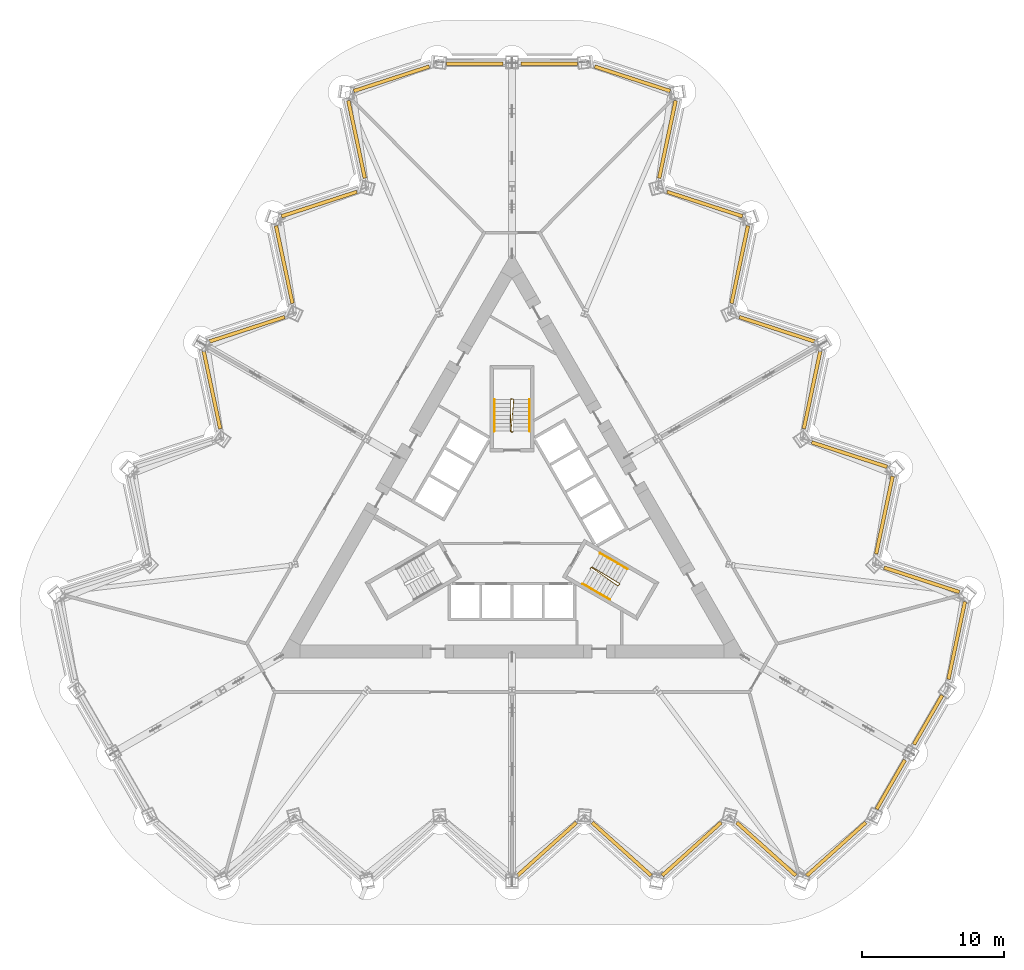
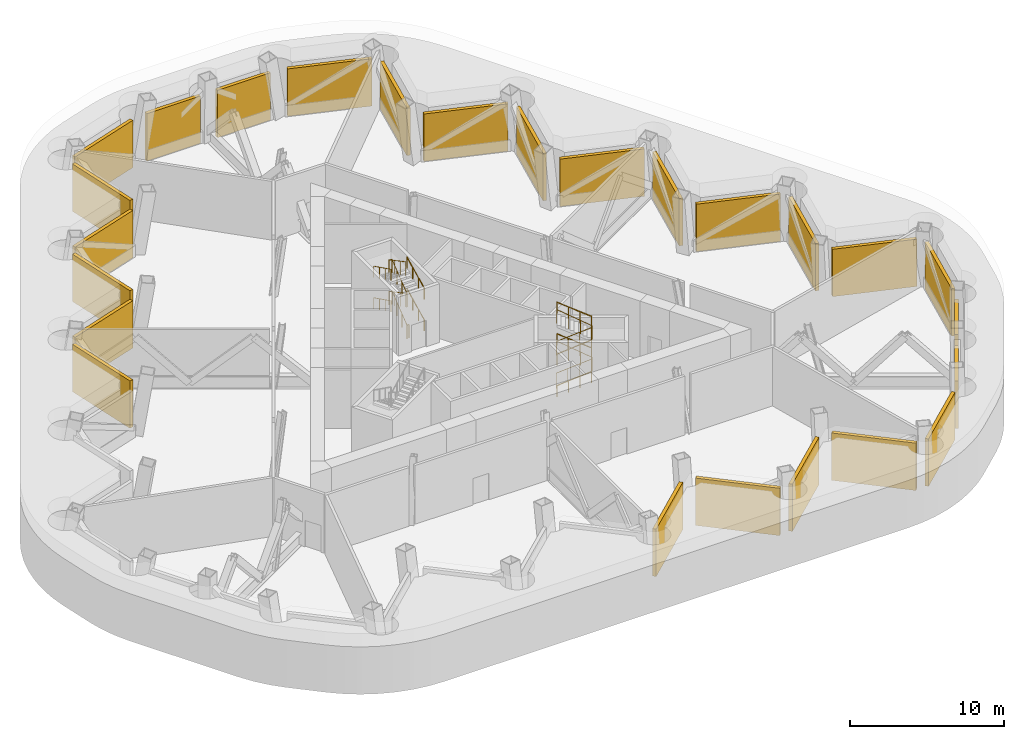
# One storey, part 13 of 13: 25 shading devices, 10 railings.
"""IFC4 building model written with IfcOpenShell, lengths in metres."""

from ifc_helpers import new_model, si_unit, direction, frame, origin, origin_2d, place, context, subcontext, project, spatial, rectangle, circle, extrude, material, layer, layer_set, type_object, element, save


model = new_model("IFC4")

# Units and contexts
model_context = context("Model", 3, precision=1e-05, world=origin(), true_north=direction((0.0, 1.0)))
body_context = subcontext(model_context, "Body", "Model", "MODEL_VIEW")
ifc_project = project(units=[si_unit("LENGTHUNIT", "METRE"), si_unit("AREAUNIT", "SQUARE_METRE"), si_unit("VOLUMEUNIT", "CUBIC_METRE"), si_unit("PLANEANGLEUNIT", "RADIAN"), si_unit("MASSUNIT", "GRAM", prefix="KILO")], contexts=[model_context])

# Site, building, storey
site_placement = place(None, origin())
site = spatial("IfcSite", under=ifc_project, at=site_placement, CompositionType="ELEMENT")
building_placement = place(site_placement, origin())
building = spatial("IfcBuilding", under=site, at=building_placement, Name="Cormorant Prow Tower", CompositionType="ELEMENT")
storey_placement = place(building_placement, frame((0.0, 0.0, 164.199951171875)))
storey = spatial("IfcBuildingStorey", under=building, at=storey_placement, Name="L34", CompositionType="ELEMENT", Elevation=164.199951171875)

# Shading devices
ifc_material_1 = material(Name="Aluminium 6063-T6", Category="aluminium")
ifc_layer_1 = layer(ifc_material_1, 0.25)
ifc_layer_set_1 = layer_set([ifc_layer_1], Name="Aluminium 6063-T6")
shading_device_type_1 = type_object("IfcShadingDeviceType", Name="Plant storey louvre panel 3998x250x3750", PredefinedType="USERDEFINED", material=ifc_layer_set_1)
for number, where, z_axis, x_axis, name in (
    (1, (26.708740234375, -18.462890625, 0.0), (0.0, 0.0, 1.0), (0.500000035278, 0.866025383416, 0.0), "Plant storey louvre ESE00"),
    (2, (29.34375, -13.899169921875, 0.0), (0.0, 0.0, 1.0), (0.500000035278, 0.866025383416, 0.0), "Plant storey louvre ESE01"),
    (3, (2.634765625, 32.362060546875, 0.0), (0.0, 0.0, 1.0), (-1.0, 0.0, 0.0), "Plant storey louvre N00"),
    (4, (-2.634765625, 32.362060546875, 0.0), (0.0, 0.0, 1.0), (-1.0, 0.0, 0.0), "Plant storey louvre N01"),
):
    element("IfcShadingDevice", number, at=place(storey_placement, frame(where, z_axis=z_axis, x_axis=x_axis)), inside=storey, type_object=shading_device_type_1, Name=name, ObjectType="LOUVRE", PredefinedType="USERDEFINED", context=body_context, shape_type="SweptSolid", body=[
        extrude(rectangle(XDim=3.99755859375, YDim=0.25, at=origin_2d()), origin(), (0.0, 0.0, 1.0), 3.75),
    ])
ifc_material_2 = material(Name="Aluminium 6063-T6", Category="aluminium")
ifc_layer_2 = layer(ifc_material_2, 0.25)
ifc_layer_set_2 = layer_set([ifc_layer_2], Name="Aluminium 6063-T6")
shading_device_type_2 = type_object("IfcShadingDeviceType", Name="Plant storey louvre panel 5591x250x3750", PredefinedType="USERDEFINED", material=ifc_layer_set_2)
for number, where, z_axis, x_axis, name in (
    (5, (2.46630859375, -23.01025390625, 0.0), (0.0, 0.0, 1.0), (0.743144811043, 0.66913062239, 0.0), "Plant storey louvre S05"),
    (6, (7.733642578125, -23.01025390625, 0.0), (0.0, 0.0, 1.0), (0.743144811043, -0.66913062239, 0.0), "Plant storey louvre S06"),
    (7, (12.666259765625, -23.01025390625, 0.0), (0.0, 0.0, 1.0), (0.743144811043, 0.66913062239, 0.0), "Plant storey louvre S07"),
    (8, (17.933349609375, -23.01025390625, 0.0), (0.0, 0.0, 1.0), (0.743144811043, -0.66913062239, 0.0), "Plant storey louvre S08"),
    (9, (22.865966796875, -23.01025390625, 0.0), (0.0, 0.0, 1.0), (0.743144811043, 0.66913062239, 0.0), "Plant storey louvre S09"),
    (10, (31.360595703125, -8.297607421875, 0.0), (0.0, 0.0, 1.0), (0.207911695308, 0.978147599779, 0.0), "Plant storey louvre ENE00"),
    (11, (28.894287109375, -4.025634765625, 0.0), (0.0, 0.0, 1.0), (-0.951056538839, 0.309016924991, 0.0), "Plant storey louvre ENE01"),
    (12, (26.260498046875, 0.535888671875, 0.0), (0.0, 0.0, 1.0), (0.207911724944, 0.97814759348, 0.0), "Plant storey louvre ENE02"),
    (13, (23.794189453125, 4.8076171875, 0.0), (0.0, 0.0, 1.0), (-0.951056496016, 0.309017056787, 0.0), "Plant storey louvre ENE03"),
    (14, (21.16064453125, 9.369140625, 0.0), (0.0, 0.0, 1.0), (0.207911724944, 0.97814759348, 0.0), "Plant storey louvre ENE04"),
    (15, (18.6943359375, 13.64111328125, 0.0), (0.0, 0.0, 1.0), (-0.951056496016, 0.309017056787, 0.0), "Plant storey louvre ENE05"),
    (16, (16.060791015625, 18.20263671875, 0.0), (0.0, 0.0, 1.0), (0.207911724944, 0.97814759348, 0.0), "Plant storey louvre ENE06"),
    (17, (13.59423828125, 22.474365234375, 0.0), (0.0, 0.0, 1.0), (-0.951056496016, 0.309017056787, 0.0), "Plant storey louvre ENE07"),
    (18, (10.960693359375, 27.035888671875, 0.0), (0.0, 0.0, 1.0), (0.207911585518, 0.978147623116, 0.0), "Plant storey louvre ENE08"),
    (19, (8.494384765625, 31.3076171875, 0.0), (0.0, 0.0, 1.0), (-0.951056482101, 0.309017099613, 0.0), "Plant storey louvre ENE09"),
    (20, (-8.494384765625, 31.3076171875, 0.0), (0.0, 0.0, 1.0), (-0.951056482101, -0.309017099613, 0.0), "Plant storey louvre WNW00"),
    (21, (-10.960693359375, 27.035888671875, 0.0), (0.0, 0.0, 1.0), (0.207911585518, -0.978147623116, 0.0), "Plant storey louvre WNW01"),
    (22, (-13.59423828125, 22.474365234375, 0.0), (0.0, 0.0, 1.0), (-0.951056496016, -0.309017056787, 0.0), "Plant storey louvre WNW02"),
    (23, (-16.060791015625, 18.20263671875, 0.0), (0.0, 0.0, 1.0), (0.207911724944, -0.97814759348, 0.0), "Plant storey louvre WNW03"),
    (24, (-18.6943359375, 13.64111328125, 0.0), (0.0, 0.0, 1.0), (-0.951056496016, -0.309017056787, 0.0), "Plant storey louvre WNW04"),
    (25, (-21.16064453125, 9.369140625, 0.0), (0.0, 0.0, 1.0), (0.207911724944, -0.97814759348, 0.0), "Plant storey louvre WNW05"),
):
    element("IfcShadingDevice", number, at=place(storey_placement, frame(where, z_axis=z_axis, x_axis=x_axis)), inside=storey, type_object=shading_device_type_2, Name=name, ObjectType="LOUVRE", PredefinedType="USERDEFINED", context=body_context, shape_type="SweptSolid", body=[
        extrude(rectangle(XDim=5.590576171875, YDim=0.25, at=origin_2d()), origin(), (0.0, 0.0, 1.0), 3.75),
    ])

# Railings
ifc_material_3 = material(Name="Stainless steel", Category="steel")
railing_type_1 = type_object("IfcRailingType", Name="Stair guard 1100", PredefinedType="GUARDRAIL", material=ifc_material_3)
railing_1_placement = place(storey_placement, frame((5.510009765625, -3.267822265625, 0.0)))
element("IfcRailing", 26, at=railing_1_placement, inside=storey, type_object=railing_type_1, Name="L34 ST2 stair guard 1", PredefinedType="GUARDRAIL", context=body_context, shape_type="SweptSolid", body=[
    extrude(circle(Radius=0.02392578125, at=origin_2d()), frame((0.0, 0.0, 1.076171875), z_axis=(0.501036270542, 0.865426285481, 0.0), x_axis=(-0.865426285481, 0.501036270542, 0.0)), (0.0, 0.0, 1.0), 0.150146484375),
    extrude(circle(Radius=0.02392578125, at=origin_2d()), frame((0.0751953125, 0.1298828125, 1.076171875), z_axis=(0.719698049427, -0.503779303625, 0.477745885267), x_axis=(0.573455215813, 0.819236910458, 0.0)), (0.0, 0.0, 1.0), 2.616455078125),
    extrude(circle(Radius=0.02392578125, at=origin_2d()), frame((1.958251953125, -1.188232421875, 2.326171875), z_axis=(0.695164929852, 0.718850276695, 0.0), x_axis=(-0.718850276695, 0.695164929852, 0.0)), (0.0, 0.0, 1.0), 0.2060546875),
    extrude(circle(Radius=0.02392578125, at=origin_2d()), frame((2.1015625, -1.0400390625, 2.326171875), z_axis=(-0.750450779969, 0.45536017281, 0.479031042693), x_axis=(-0.518752825935, -0.854924268918, 0.0)), (0.0, 0.0, 1.0), 2.609375),
    extrude(circle(Radius=0.02392578125, at=origin_2d()), frame((0.143310546875, 0.148193359375, 3.576171875), z_axis=(-0.965715946433, -0.259601060869, 0.0), x_axis=(0.259601060869, -0.965715946433, 0.0)), (0.0, 0.0, 1.0), 0.070556640625),
    extrude(circle(Radius=0.02392578125, at=origin_2d()), frame((0.0751953125, 0.1298828125, 3.576171875), z_axis=(0.719698049427, -0.503779303625, 0.477745885267), x_axis=(0.573455215813, 0.819236910458, 0.0)), (0.0, 0.0, 1.0), 2.616455078125),
    extrude(circle(Radius=0.02392578125, at=origin_2d()), frame((1.958251953125, -1.188232421875, 4.826171875), z_axis=(0.695164929852, 0.718850276695, 0.0), x_axis=(-0.718850276695, 0.695164929852, 0.0)), (0.0, 0.0, 1.0), 0.2060546875),
    extrude(circle(Radius=0.02392578125, at=origin_2d()), frame((2.1015625, -1.0400390625, 4.826171875), z_axis=(-0.750450779969, 0.45536017281, 0.479031042693), x_axis=(-0.518752825935, -0.854924268918, 0.0)), (0.0, 0.0, 1.0), 2.609375),
    extrude(circle(Radius=0.02099609375, at=origin_2d()), origin(), (0.0, 0.0, 1.0), 1.052001953125),
    extrude(circle(Radius=0.02099609375, at=origin_2d()), frame((0.0751953125, 0.1298828125, 0.0)), (0.0, 0.0, 1.0), 1.052001953125),
    extrude(circle(Radius=0.02099609375, at=origin_2d()), frame((0.702880859375, -0.3095703125, 0.416748046875)), (0.0, 0.0, 1.0), 1.052001953125),
    extrude(circle(Radius=0.02099609375, at=origin_2d()), frame((1.33056640625, -0.748779296875, 0.833251953125)), (0.0, 0.0, 1.0), 1.052001953125),
    extrude(circle(Radius=0.02099609375, at=origin_2d()), frame((1.958251953125, -1.188232421875, 1.25)), (0.0, 0.0, 1.0), 1.052001953125),
    extrude(circle(Radius=0.02099609375, at=origin_2d()), frame((2.1015625, -1.0400390625, 1.25)), (0.0, 0.0, 1.0), 1.052001953125),
    extrude(circle(Radius=0.02099609375, at=origin_2d()), frame((1.44873046875, -0.64404296875, 1.666748046875)), (0.0, 0.0, 1.0), 1.052001953125),
    extrude(circle(Radius=0.02099609375, at=origin_2d()), frame((0.796142578125, -0.247802734375, 2.083251953125)), (0.0, 0.0, 1.0), 1.052001953125),
    extrude(circle(Radius=0.02099609375, at=origin_2d()), frame((0.143310546875, 0.148193359375, 2.5)), (0.0, 0.0, 1.0), 1.052001953125),
    extrude(circle(Radius=0.02099609375, at=origin_2d()), frame((0.0751953125, 0.1298828125, 2.5)), (0.0, 0.0, 1.0), 1.052001953125),
    extrude(circle(Radius=0.02099609375, at=origin_2d()), frame((0.702880859375, -0.3095703125, 2.916748046875)), (0.0, 0.0, 1.0), 1.052001953125),
    extrude(circle(Radius=0.02099609375, at=origin_2d()), frame((1.33056640625, -0.748779296875, 3.333251953125)), (0.0, 0.0, 1.0), 1.052001953125),
    extrude(circle(Radius=0.02099609375, at=origin_2d()), frame((1.958251953125, -1.188232421875, 3.75)), (0.0, 0.0, 1.0), 1.052001953125),
    extrude(circle(Radius=0.02099609375, at=origin_2d()), frame((2.1015625, -1.0400390625, 3.75)), (0.0, 0.0, 1.0), 1.052001953125),
    extrude(circle(Radius=0.02099609375, at=origin_2d()), frame((1.44873046875, -0.64404296875, 4.166748046875)), (0.0, 0.0, 1.0), 1.052001953125),
    extrude(circle(Radius=0.02099609375, at=origin_2d()), frame((0.796142578125, -0.247802734375, 4.583251953125)), (0.0, 0.0, 1.0), 1.052001953125),
    extrude(circle(Radius=0.02099609375, at=origin_2d()), frame((0.143310546875, 0.148193359375, 5.0)), (0.0, 0.0, 1.0), 1.052001953125),
])
railing_2_placement = place(storey_placement, frame((0.074951171875, 6.40576171875, 0.0)))
element("IfcRailing", 27, at=railing_2_placement, inside=storey, type_object=railing_type_1, Name="L34 ST3 stair guard 1", PredefinedType="GUARDRAIL", context=body_context, shape_type="SweptSolid", body=[
    extrude(circle(Radius=0.02392578125, at=origin_2d()), frame((0.0, 0.0, 1.076171875), z_axis=(-1.0, 0.0, 0.0), x_axis=(0.0, -1.0, 0.0)), (0.0, 0.0, 1.0), 0.14990234375),
    extrude(circle(Radius=0.02392578125, at=origin_2d()), frame((-0.14990234375, 0.0, 1.076171875), z_axis=(0.07641549331, 0.87518599176, 0.477713462453), x_axis=(-0.996209839609, 0.086982500921, 0.0)), (0.0, 0.0, 1.0), 2.61669921875),
    extrude(circle(Radius=0.02392578125, at=origin_2d()), frame((0.050048828125, 2.2900390625, 2.326171875), z_axis=(-0.970072785993, 0.242814311512, 0.0), x_axis=(-0.242814311512, -0.970072785993, 0.0)), (0.0, 0.0, 1.0), 0.2060546875),
    extrude(circle(Radius=0.02392578125, at=origin_2d()), frame((-0.14990234375, 2.340087890625, 2.326171875), z_axis=(-0.019179761202, -0.877591024776, 0.479026231008), x_axis=(0.999761264773, -0.0218497931, 0.0)), (0.0, 0.0, 1.0), 2.609375),
    extrude(circle(Radius=0.02392578125, at=origin_2d()), frame((-0.199951171875, 0.050048828125, 3.576171875), z_axis=(0.707106781187, -0.707106781187, 0.0), x_axis=(0.707106781187, 0.707106781187, 0.0)), (0.0, 0.0, 1.0), 0.07080078125),
    extrude(circle(Radius=0.02392578125, at=origin_2d()), frame((-0.14990234375, 0.0, 3.576171875), z_axis=(0.07641549331, 0.87518599176, 0.477713462453), x_axis=(-0.996209839609, 0.086982500921, 0.0)), (0.0, 0.0, 1.0), 2.61669921875),
    extrude(circle(Radius=0.02392578125, at=origin_2d()), frame((0.050048828125, 2.2900390625, 4.826171875), z_axis=(-0.970072785993, 0.242814311512, 0.0), x_axis=(-0.242814311512, -0.970072785993, 0.0)), (0.0, 0.0, 1.0), 0.2060546875),
    extrude(circle(Radius=0.02392578125, at=origin_2d()), frame((-0.14990234375, 2.340087890625, 4.826171875), z_axis=(-0.019179761202, -0.877591024776, 0.479026231008), x_axis=(0.999761264773, -0.0218497931, 0.0)), (0.0, 0.0, 1.0), 2.609375),
    extrude(circle(Radius=0.02099609375, at=origin_2d()), origin(), (0.0, 0.0, 1.0), 1.052001953125),
    extrude(circle(Radius=0.02099609375, at=origin_2d()), frame((-0.14990234375, 0.0, 0.0)), (0.0, 0.0, 1.0), 1.052001953125),
    extrude(circle(Radius=0.02099609375, at=origin_2d()), frame((-0.083251953125, 0.763427734375, 0.416748046875)), (0.0, 0.0, 1.0), 1.052001953125),
    extrude(circle(Radius=0.02099609375, at=origin_2d()), frame((-0.0166015625, 1.526611328125, 0.833251953125)), (0.0, 0.0, 1.0), 1.052001953125),
    extrude(circle(Radius=0.02099609375, at=origin_2d()), frame((0.050048828125, 2.2900390625, 1.25)), (0.0, 0.0, 1.0), 1.052001953125),
    extrude(circle(Radius=0.02099609375, at=origin_2d()), frame((-0.14990234375, 2.340087890625, 1.25)), (0.0, 0.0, 1.0), 1.052001953125),
    extrude(circle(Radius=0.02099609375, at=origin_2d()), frame((-0.16650390625, 1.57666015625, 1.666748046875)), (0.0, 0.0, 1.0), 1.052001953125),
    extrude(circle(Radius=0.02099609375, at=origin_2d()), frame((-0.183349609375, 0.8134765625, 2.083251953125)), (0.0, 0.0, 1.0), 1.052001953125),
    extrude(circle(Radius=0.02099609375, at=origin_2d()), frame((-0.199951171875, 0.050048828125, 2.5)), (0.0, 0.0, 1.0), 1.052001953125),
    extrude(circle(Radius=0.02099609375, at=origin_2d()), frame((-0.14990234375, 0.0, 2.5)), (0.0, 0.0, 1.0), 1.052001953125),
    extrude(circle(Radius=0.02099609375, at=origin_2d()), frame((-0.083251953125, 0.763427734375, 2.916748046875)), (0.0, 0.0, 1.0), 1.052001953125),
    extrude(circle(Radius=0.02099609375, at=origin_2d()), frame((-0.0166015625, 1.526611328125, 3.333251953125)), (0.0, 0.0, 1.0), 1.052001953125),
    extrude(circle(Radius=0.02099609375, at=origin_2d()), frame((0.050048828125, 2.2900390625, 3.75)), (0.0, 0.0, 1.0), 1.052001953125),
    extrude(circle(Radius=0.02099609375, at=origin_2d()), frame((-0.14990234375, 2.340087890625, 3.75)), (0.0, 0.0, 1.0), 1.052001953125),
    extrude(circle(Radius=0.02099609375, at=origin_2d()), frame((-0.16650390625, 1.57666015625, 4.166748046875)), (0.0, 0.0, 1.0), 1.052001953125),
    extrude(circle(Radius=0.02099609375, at=origin_2d()), frame((-0.183349609375, 0.8134765625, 4.583251953125)), (0.0, 0.0, 1.0), 1.052001953125),
    extrude(circle(Radius=0.02099609375, at=origin_2d()), frame((-0.199951171875, 0.050048828125, 5.0)), (0.0, 0.0, 1.0), 1.052001953125),
])
ifc_material_4 = material(Name="Stainless steel", Category="steel")
railing_type_2 = type_object("IfcRailingType", Name="Stair handrail 900", PredefinedType="HANDRAIL", material=ifc_material_4)
railing_3_placement = place(storey_placement, frame((4.968994140625, -4.30517578125, 0.138916015625)))
element("IfcRailing", 28, at=railing_3_placement, inside=storey, type_object=railing_type_2, Name="L34 ST2 stair handrail 1", PredefinedType="HANDRAIL", context=body_context, shape_type="SweptSolid", body=[
    extrude(circle(Radius=0.02392578125, at=origin_2d()), frame((0.0, 0.0, 0.8759765625), z_axis=(0.775779884805, -0.447989693075, 0.44437687297), x_axis=(0.500077830873, 0.865980463445, 0.0)), (0.0, 0.0, 1.0), 2.500244140625),
    extrude(circle(Radius=0.02099609375, at=origin_2d()), origin(), (0.0, 0.0, 1.0), 0.851806640625),
    extrude(circle(Radius=0.02099609375, at=origin_2d()), frame((0.646484375, -0.373291015625, 0.370361328125)), (0.0, 0.0, 1.0), 0.851806640625),
    extrude(circle(Radius=0.02099609375, at=origin_2d()), frame((1.293212890625, -0.746826171875, 0.74072265625)), (0.0, 0.0, 1.0), 0.851806640625),
    extrude(circle(Radius=0.02099609375, at=origin_2d()), frame((1.939697265625, -1.1201171875, 1.111083984375)), (0.0, 0.0, 1.0), 0.851806640625),
])
railing_4_placement = place(storey_placement, frame((8.15283203125, -3.2705078125, 1.388916015625)))
element("IfcRailing", 29, at=railing_4_placement, inside=storey, type_object=railing_type_2, Name="L34 ST2 stair handrail 2", PredefinedType="HANDRAIL", context=body_context, shape_type="SweptSolid", body=[
    extrude(circle(Radius=0.02392578125, at=origin_2d()), frame((0.0, 0.0, 0.8759765625), z_axis=(-0.775852689126, 0.447877710172, 0.44436264639), x_axis=(-0.49994888933, -0.866054910533, 0.0)), (0.0, 0.0, 1.0), 2.50048828125),
    extrude(circle(Radius=0.02099609375, at=origin_2d()), origin(), (0.0, 0.0, 1.0), 0.851806640625),
    extrude(circle(Radius=0.02099609375, at=origin_2d()), frame((-0.646728515625, 0.373291015625, 0.370361328125)), (0.0, 0.0, 1.0), 0.851806640625),
    extrude(circle(Radius=0.02099609375, at=origin_2d()), frame((-1.293212890625, 0.74658203125, 0.74072265625)), (0.0, 0.0, 1.0), 0.851806640625),
    extrude(circle(Radius=0.02099609375, at=origin_2d()), frame((-1.93994140625, 1.119873046875, 1.111083984375)), (0.0, 0.0, 1.0), 0.851806640625),
])
railing_5_placement = place(storey_placement, frame((4.968994140625, -4.30517578125, 2.638916015625)))
element("IfcRailing", 30, at=railing_5_placement, inside=storey, type_object=railing_type_2, Name="L34 ST2 stair handrail 3", PredefinedType="HANDRAIL", context=body_context, shape_type="SweptSolid", body=[
    extrude(circle(Radius=0.02392578125, at=origin_2d()), frame((0.0, 0.0, 0.8759765625), z_axis=(0.775779884805, -0.447989693075, 0.44437687297), x_axis=(0.500077830873, 0.865980463445, 0.0)), (0.0, 0.0, 1.0), 2.500244140625),
    extrude(circle(Radius=0.02099609375, at=origin_2d()), origin(), (0.0, 0.0, 1.0), 0.851806640625),
    extrude(circle(Radius=0.02099609375, at=origin_2d()), frame((0.646484375, -0.373291015625, 0.370361328125)), (0.0, 0.0, 1.0), 0.851806640625),
    extrude(circle(Radius=0.02099609375, at=origin_2d()), frame((1.293212890625, -0.746826171875, 0.74072265625)), (0.0, 0.0, 1.0), 0.851806640625),
    extrude(circle(Radius=0.02099609375, at=origin_2d()), frame((1.939697265625, -1.1201171875, 1.111083984375)), (0.0, 0.0, 1.0), 0.851806640625),
])
railing_6_placement = place(storey_placement, frame((8.15283203125, -3.2705078125, 3.888916015625)))
element("IfcRailing", 31, at=railing_6_placement, inside=storey, type_object=railing_type_2, Name="L34 ST2 stair handrail 4", PredefinedType="HANDRAIL", context=body_context, shape_type="SweptSolid", body=[
    extrude(circle(Radius=0.02392578125, at=origin_2d()), frame((0.0, 0.0, 0.8759765625), z_axis=(-0.775852689126, 0.447877710172, 0.44436264639), x_axis=(-0.49994888933, -0.866054910533, 0.0)), (0.0, 0.0, 1.0), 2.50048828125),
    extrude(circle(Radius=0.02099609375, at=origin_2d()), origin(), (0.0, 0.0, 1.0), 0.851806640625),
    extrude(circle(Radius=0.02099609375, at=origin_2d()), frame((-0.646728515625, 0.373291015625, 0.370361328125)), (0.0, 0.0, 1.0), 0.851806640625),
    extrude(circle(Radius=0.02099609375, at=origin_2d()), frame((-1.293212890625, 0.74658203125, 0.74072265625)), (0.0, 0.0, 1.0), 0.851806640625),
    extrude(circle(Radius=0.02099609375, at=origin_2d()), frame((-1.93994140625, 1.119873046875, 1.111083984375)), (0.0, 0.0, 1.0), 0.851806640625),
])
railing_7_placement = place(storey_placement, frame((1.243896484375, 6.455810546875, 0.138916015625)))
element("IfcRailing", 32, at=railing_7_placement, inside=storey, type_object=railing_type_2, Name="L34 ST3 stair handrail 1", PredefinedType="HANDRAIL", context=body_context, shape_type="SweptSolid", body=[
    extrude(circle(Radius=0.02392578125, at=origin_2d()), frame((0.0, 0.0, 0.8759765625), z_axis=(0.0, 0.895848192791, 0.444360231651), x_axis=(-1.0, 0.0, 0.0)), (0.0, 0.0, 1.0), 2.50048828125),
    extrude(circle(Radius=0.02099609375, at=origin_2d()), origin(), (0.0, 0.0, 1.0), 0.851806640625),
    extrude(circle(Radius=0.02099609375, at=origin_2d()), frame((0.0, 0.74658203125, 0.370361328125)), (0.0, 0.0, 1.0), 0.851806640625),
    extrude(circle(Radius=0.02099609375, at=origin_2d()), frame((0.0, 1.493408203125, 0.74072265625)), (0.0, 0.0, 1.0), 0.851806640625),
    extrude(circle(Radius=0.02099609375, at=origin_2d()), frame((0.0, 2.239990234375, 1.111083984375)), (0.0, 0.0, 1.0), 0.851806640625),
])
railing_8_placement = place(storey_placement, frame((-1.243896484375, 8.69580078125, 1.388916015625)))
element("IfcRailing", 33, at=railing_8_placement, inside=storey, type_object=railing_type_2, Name="L34 ST3 stair handrail 2", PredefinedType="HANDRAIL", context=body_context, shape_type="SweptSolid", body=[
    extrude(circle(Radius=0.02392578125, at=origin_2d()), frame((0.0, 0.0, 0.8759765625), z_axis=(0.0, -0.895848192791, 0.444360231651), x_axis=(1.0, 0.0, 0.0)), (0.0, 0.0, 1.0), 2.50048828125),
    extrude(circle(Radius=0.02099609375, at=origin_2d()), origin(), (0.0, 0.0, 1.0), 0.851806640625),
    extrude(circle(Radius=0.02099609375, at=origin_2d()), frame((0.0, -0.74658203125, 0.370361328125)), (0.0, 0.0, 1.0), 0.851806640625),
    extrude(circle(Radius=0.02099609375, at=origin_2d()), frame((0.0, -1.493408203125, 0.74072265625)), (0.0, 0.0, 1.0), 0.851806640625),
    extrude(circle(Radius=0.02099609375, at=origin_2d()), frame((0.0, -2.239990234375, 1.111083984375)), (0.0, 0.0, 1.0), 0.851806640625),
])
railing_9_placement = place(storey_placement, frame((1.243896484375, 6.455810546875, 2.638916015625)))
element("IfcRailing", 34, at=railing_9_placement, inside=storey, type_object=railing_type_2, Name="L34 ST3 stair handrail 3", PredefinedType="HANDRAIL", context=body_context, shape_type="SweptSolid", body=[
    extrude(circle(Radius=0.02392578125, at=origin_2d()), frame((0.0, 0.0, 0.8759765625), z_axis=(0.0, 0.895848192791, 0.444360231651), x_axis=(-1.0, 0.0, 0.0)), (0.0, 0.0, 1.0), 2.50048828125),
    extrude(circle(Radius=0.02099609375, at=origin_2d()), origin(), (0.0, 0.0, 1.0), 0.851806640625),
    extrude(circle(Radius=0.02099609375, at=origin_2d()), frame((0.0, 0.74658203125, 0.370361328125)), (0.0, 0.0, 1.0), 0.851806640625),
    extrude(circle(Radius=0.02099609375, at=origin_2d()), frame((0.0, 1.493408203125, 0.74072265625)), (0.0, 0.0, 1.0), 0.851806640625),
    extrude(circle(Radius=0.02099609375, at=origin_2d()), frame((0.0, 2.239990234375, 1.111083984375)), (0.0, 0.0, 1.0), 0.851806640625),
])
railing_10_placement = place(storey_placement, frame((-1.243896484375, 8.69580078125, 3.888916015625)))
element("IfcRailing", 35, at=railing_10_placement, inside=storey, type_object=railing_type_2, Name="L34 ST3 stair handrail 4", PredefinedType="HANDRAIL", context=body_context, shape_type="SweptSolid", body=[
    extrude(circle(Radius=0.02392578125, at=origin_2d()), frame((0.0, 0.0, 0.8759765625), z_axis=(0.0, -0.895848192791, 0.444360231651), x_axis=(1.0, 0.0, 0.0)), (0.0, 0.0, 1.0), 2.50048828125),
    extrude(circle(Radius=0.02099609375, at=origin_2d()), origin(), (0.0, 0.0, 1.0), 0.851806640625),
    extrude(circle(Radius=0.02099609375, at=origin_2d()), frame((0.0, -0.74658203125, 0.370361328125)), (0.0, 0.0, 1.0), 0.851806640625),
    extrude(circle(Radius=0.02099609375, at=origin_2d()), frame((0.0, -1.493408203125, 0.74072265625)), (0.0, 0.0, 1.0), 0.851806640625),
    extrude(circle(Radius=0.02099609375, at=origin_2d()), frame((0.0, -2.239990234375, 1.111083984375)), (0.0, 0.0, 1.0), 0.851806640625),
])

save(model, "model.ifc")
